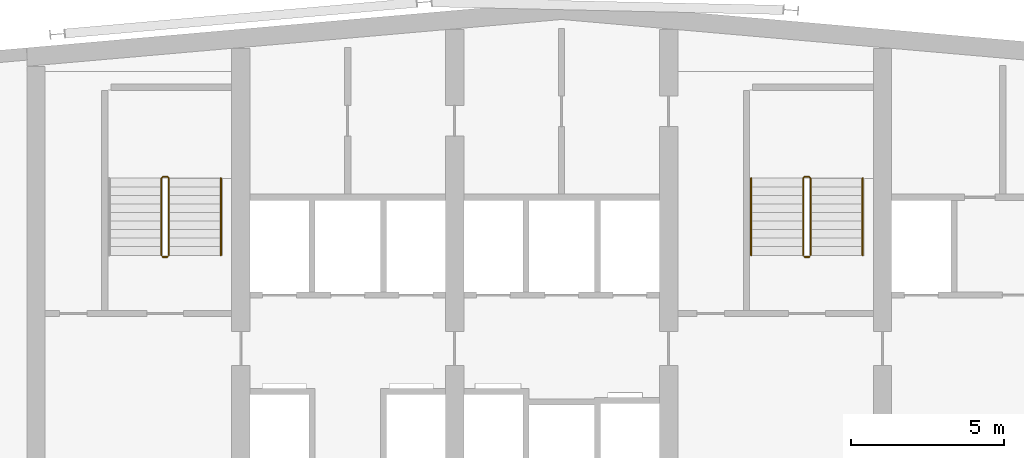
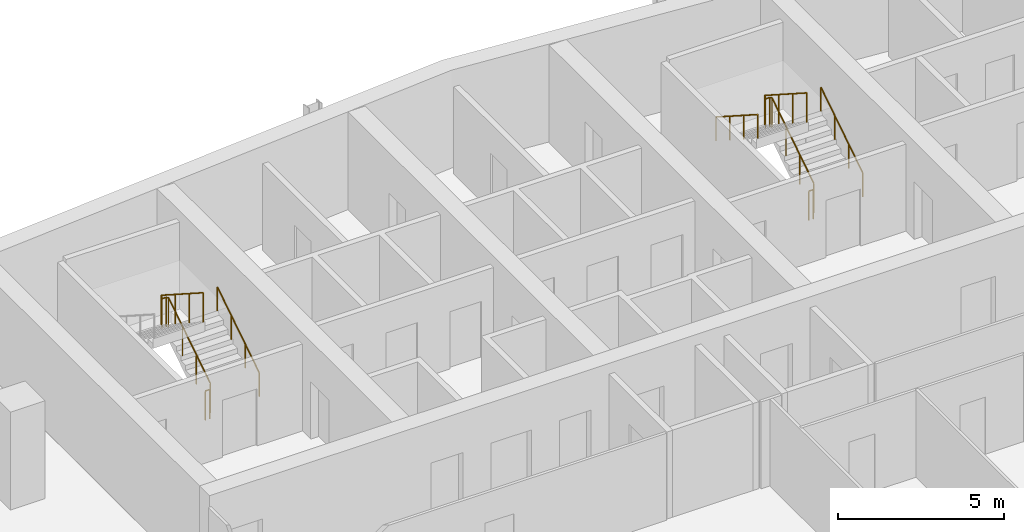
# One storey, part 19 of 19: 7 railings.
"""IFC4 building model written with IfcOpenShell, lengths in metres."""

import ifcopenshell
import ifcopenshell.guid

model = None  # the IFC model being written
_history = None  # IfcOwnerHistory: only IFC2X3 demands one
_inside = {}  # id of a spatial element -> (the spatial element, [elements in it])
_under = {}  # id of a project, library or spatial element -> (it, [spatial elements below it])
_declared = {}  # id of a project -> (the project, [libraries it declares])
_typed = {}  # id of a type object -> (the type object, [elements of that type])
_made_of = {}  # id of a material, layer set ... -> (it, [elements and type objects made of it])


def new_model(schema):
    """Start an empty IFC model of exactly this schema.

    Asked for "IFC4X3", IfcOpenShell would pick the latest addendum, in which some entities
    have other attributes; the version numbers below select the first issue.
    IFC2X3 requires an IfcOwnerHistory on every rooted entity: one is made here for all.
    """
    global model, _history
    if schema == "IFC4X3":
        model = ifcopenshell.file(schema_version=(4, 3, 0, 0))
    else:
        model = ifcopenshell.file(schema=schema)
    _inside.clear()
    _under.clear()
    _declared.clear()
    _typed.clear()
    _made_of.clear()
    _history = None
    if model.schema == "IFC2X3":
        org = make("IfcOrganization", Name="unknown")
        user = make(
            "IfcPersonAndOrganization",
            ThePerson=make("IfcPerson", FamilyName="unknown"),
            TheOrganization=org,
        )
        app = make(
            "IfcApplication",
            ApplicationDeveloper=org,
            Version="unknown",
            ApplicationFullName="unknown",
            ApplicationIdentifier="unknown",
        )
        _history = make(
            "IfcOwnerHistory",
            OwningUser=user,
            OwningApplication=app,
            ChangeAction="ADDED",
            CreationDate=0,
        )
    return model


def make(cls, **values):
    """One entity of the class cls with the attributes given. An attribute that is None is left unset."""
    return model.create_entity(
        cls, **{name: value for name, value in values.items() if value is not None}
    )


def rooted(cls, **values):
    """An entity with a GlobalId (a new one), such as an element, a storey or a relation."""
    return make(cls, GlobalId=ifcopenshell.guid.new(), OwnerHistory=_history, **values)


def si_unit(unit_type, name, prefix=None):
    """IfcSIUnit, for example si_unit("LENGTHUNIT", "METRE", prefix="MILLI")."""
    return make("IfcSIUnit", UnitType=unit_type, Prefix=prefix, Name=name)


def assignment(units):
    """IfcUnitAssignment: the units of a project."""
    return None if units is None else make("IfcUnitAssignment", Units=units)


def point(xyz):
    """IfcCartesianPoint."""
    return None if xyz is None else make("IfcCartesianPoint", Coordinates=xyz)


def direction(xyz):
    """IfcDirection."""
    return None if xyz is None else make("IfcDirection", DirectionRatios=xyz)


def frame(location, z_axis=None, x_axis=None):
    """IfcAxis2Placement3D, a coordinate frame: its origin and axes. An axis left out is left unset."""
    return make(
        "IfcAxis2Placement3D",
        Location=point(location),
        Axis=direction(z_axis),
        RefDirection=direction(x_axis),
    )


def frame_2d(location, x_axis=None):
    """IfcAxis2Placement2D, a coordinate frame in the plane: its origin and x axis."""
    return make(
        "IfcAxis2Placement2D", Location=point(location), RefDirection=direction(x_axis)
    )


def origin():
    """The frame at (0, 0, 0) with its axes left unset."""
    return frame((0.0, 0.0, 0.0))


def origin_2d():
    """The frame at (0, 0) in the plane with its x axis left unset."""
    return frame_2d((0.0, 0.0))


def place(relative_to, where):
    """IfcLocalPlacement: puts the frame where relative to a parent placement (None: the world)."""
    return make(
        "IfcLocalPlacement", PlacementRelTo=relative_to, RelativePlacement=where
    )


def context(
    kind, dimensions, precision=None, world=None, true_north=None, identifier=None
):
    """IfcGeometricRepresentationContext, for example the 3D "Model" context."""
    return make(
        "IfcGeometricRepresentationContext",
        ContextIdentifier=identifier,
        ContextType=kind,
        CoordinateSpaceDimension=dimensions,
        Precision=precision,
        WorldCoordinateSystem=world,
        TrueNorth=true_north,
    )


def subcontext(parent, identifier, kind, view, scale=None):
    """IfcGeometricRepresentationSubContext, for example "Body" below "Model"."""
    return make(
        "IfcGeometricRepresentationSubContext",
        ContextIdentifier=identifier,
        ContextType=kind,
        ParentContext=parent,
        TargetScale=scale,
        TargetView=view,
    )


def project(units=None, contexts=None):
    """IfcProject with its units and contexts."""
    return rooted(
        "IfcProject",
        Name="project",
        RepresentationContexts=contexts,
        UnitsInContext=assignment(units),
    )


def spatial(cls, under=None, at=None, **own):
    """A site, building, storey or space (cls), placed at a placement, below another one or the project."""
    s = rooted(cls, ObjectPlacement=at, **own)
    if under is not None:
        _under.setdefault(under.id(), (under, []))[1].append(s)
    return s


def profile(cls, at=None, kind="AREA", **sizes):
    """A parametric profile (cls). Its sizes go by their IFC names, for example OverallWidth=200.0."""
    return make(cls, ProfileType=kind, Position=at, **sizes)


def circle(**sizes):
    """IfcCircleProfileDef."""
    return profile("IfcCircleProfileDef", **sizes)


def extrude(swept, where, along, depth):
    """IfcExtrudedAreaSolid: the profile swept, set in the frame where, extruded along a direction by depth."""
    return make(
        "IfcExtrudedAreaSolid",
        SweptArea=swept,
        Position=where,
        ExtrudedDirection=direction(along),
        Depth=depth,
    )


def shape(context_of_items, identifier, shape_type, items):
    """IfcShapeRepresentation: the items that make up one representation, for example the "Body"."""
    return make(
        "IfcShapeRepresentation",
        ContextOfItems=context_of_items,
        RepresentationIdentifier=identifier,
        RepresentationType=shape_type,
        Items=items,
    )


def material(Name=None, Category=None):
    """IfcMaterial."""
    return make("IfcMaterial", Name=Name, Category=Category)


def made_of(thing, what):
    """Note that an element or type object is made of a material, layer set ...; save() writes the relation."""
    if what is not None:
        _made_of.setdefault(what.id(), (what, []))[1].append(thing)
    return thing


def type_object(cls, material=None, **own):
    """A type object (cls), such as IfcWallType, which elements share."""
    return made_of(rooted(cls, **own), material)


def element(
    cls,
    number,
    at=None,
    inside=None,
    cuts=None,
    type_object=None,
    material=None,
    context=None,
    identifier="Body",
    shape_type=None,
    held_by="IfcProductDefinitionShape",
    body=None,
    shapes=None,
    **own,
):
    """One element of the class cls, such as IfcWall. Its Tag is "e" and its number.

    at: its placement. inside: the storey or other place that contains it. cuts: it is an
    opening in that element (IfcRelVoidsElement). A single representation is given by context,
    identifier, shape_type and body (its items); several are given by shapes. held_by: the class
    of the entity that holds the representations. save() writes the other relations.
    """
    e = rooted(cls, Tag="e%d" % number, ObjectPlacement=at, **own)
    if body is not None:
        shapes = [shape(context, identifier, shape_type, body)]
    if shapes is not None:
        e.Representation = make(held_by, Representations=shapes)
    if inside is not None:
        _inside.setdefault(inside.id(), (inside, []))[1].append(e)
    if cuts is not None:
        rooted(
            "IfcRelVoidsElement", RelatingBuildingElement=cuts, RelatedOpeningElement=e
        )
    if type_object is not None:
        _typed.setdefault(type_object.id(), (type_object, []))[1].append(e)
    return made_of(e, material)


def aggregate(whole, parts):
    """IfcRelAggregates: a whole, such as a stair, and the parts it consists of."""
    return rooted("IfcRelAggregates", RelatingObject=whole, RelatedObjects=parts)


def save(model, path):
    """Write the relations noted so far, then the file.

    IfcRelAggregates (storeys below a building ...), IfcRelContainedInSpatialStructure (elements
    in a storey), IfcRelDefinesByType, IfcRelAssociatesMaterial and IfcRelDeclares: one each for
    every whole, place, type object, material and project.
    """
    for whole, parts in _under.values():
        aggregate(whole, parts)
    for where, things in _inside.values():
        rooted(
            "IfcRelContainedInSpatialStructure",
            RelatedElements=things,
            RelatingStructure=where,
        )
    for kind, things in _typed.values():
        rooted("IfcRelDefinesByType", RelatedObjects=things, RelatingType=kind)
    for what, things in _made_of.values():
        rooted("IfcRelAssociatesMaterial", RelatedObjects=things, RelatingMaterial=what)
    for by, libraries in _declared.values():
        rooted("IfcRelDeclares", RelatingContext=by, RelatedDefinitions=libraries)
    model.write(path)


model = new_model("IFC4")

# Units and contexts
model_context = context("Model", 3, precision=1e-05, world=origin(), true_north=direction((0.0, 1.0)))
body_context = subcontext(model_context, "Body", "Model", "MODEL_VIEW")
ifc_project = project(units=[si_unit("LENGTHUNIT", "METRE"), si_unit("AREAUNIT", "SQUARE_METRE"), si_unit("VOLUMEUNIT", "CUBIC_METRE"), si_unit("PLANEANGLEUNIT", "RADIAN"), si_unit("MASSUNIT", "GRAM", prefix="KILO")], contexts=[model_context])

# Site, building, storey
site_placement = place(None, origin())
site = spatial("IfcSite", under=ifc_project, at=site_placement, CompositionType="ELEMENT")
building_placement = place(site_placement, origin())
building = spatial("IfcBuilding", under=site, at=building_placement, Name="Wharfspan Tower", CompositionType="ELEMENT")
storey_placement = place(building_placement, frame((0.0, 0.0, 257.5)))
storey = spatial("IfcBuildingStorey", under=building, at=storey_placement, Name="L65", CompositionType="ELEMENT", Elevation=257.5)

# Railings
ifc_material = material(Name="Steel S355J2", Category="steel")
railing_type_1 = type_object("IfcRailingType", Name="Stair guard 1100", PredefinedType="GUARDRAIL", material=ifc_material)
railing_1_placement = place(storey_placement, frame((27.649902, 42.0, 0.179932)))
element("IfcRailing", 1, at=railing_1_placement, inside=storey, type_object=railing_type_1, Name="L65 ST1 stair guard 1", PredefinedType="GUARDRAIL", context=body_context, shape_type="SweptSolid", body=[
    extrude(circle(Radius=0.023926, at=origin_2d()), frame((0.0, 0.0, 1.076172), z_axis=(0.0, 0.841163, 0.540782), x_axis=(-1.0, 0.0, 0.0)), (0.0, 0.0, 1.0), 2.99585),
    extrude(circle(Radius=0.023926, at=origin_2d()), frame((0.0, 2.52002, 2.696289), z_axis=(-0.705376, 0.708834, 0.0), x_axis=(-0.708834, -0.705376, 0.0)), (0.0, 0.0, 1.0), 0.070557),
    extrude(circle(Radius=0.023926, at=origin_2d()), frame((-0.049805, 2.570068, 2.696289), z_axis=(-1.0, 0.0, 0.0), x_axis=(0.0, -1.0, 0.0)), (0.0, 0.0, 1.0), 0.150146),
    extrude(circle(Radius=0.023926, at=origin_2d()), frame((-0.199951, 2.570068, 2.696289), z_axis=(-0.258848, -0.258848, 0.930589), x_axis=(0.707107, -0.707107, 0.0)), (0.0, 0.0, 1.0), 0.193359),
    extrude(circle(Radius=0.023926, at=origin_2d()), frame((-0.25, 2.52002, 2.875977), z_axis=(0.0, -0.841163, 0.540782), x_axis=(1.0, 0.0, 0.0)), (0.0, 0.0, 1.0), 2.99585),
    extrude(circle(Radius=0.020996, at=origin_2d()), origin(), (0.0, 0.0, 1.0), 1.052002),
    extrude(circle(Radius=0.020996, at=origin_2d()), frame((0.0, 0.840088, 0.540039)), (0.0, 0.0, 1.0), 1.052002),
    extrude(circle(Radius=0.020996, at=origin_2d()), frame((0.0, 1.679932, 1.080078)), (0.0, 0.0, 1.0), 1.052002),
    extrude(circle(Radius=0.020996, at=origin_2d()), frame((0.0, 2.52002, 1.620117)), (0.0, 0.0, 1.0), 1.052002),
    extrude(circle(Radius=0.020996, at=origin_2d()), frame((-0.049805, 2.570068, 1.620117)), (0.0, 0.0, 1.0), 1.052002),
    extrude(circle(Radius=0.020996, at=origin_2d()), frame((-0.199951, 2.570068, 1.620117)), (0.0, 0.0, 1.0), 1.052002),
    extrude(circle(Radius=0.020996, at=origin_2d()), frame((-0.25, 2.52002, 1.800049)), (0.0, 0.0, 1.0), 1.052002),
    extrude(circle(Radius=0.020996, at=origin_2d()), frame((-0.25, 1.679932, 2.340088)), (0.0, 0.0, 1.0), 1.052002),
    extrude(circle(Radius=0.020996, at=origin_2d()), frame((-0.25, 0.840088, 2.880127)), (0.0, 0.0, 1.0), 1.052002),
    extrude(circle(Radius=0.020996, at=origin_2d()), frame((-0.25, 0.0, 3.420166)), (0.0, 0.0, 1.0), 1.052002),
])
railing_2_placement = place(storey_placement, frame((27.600098, 41.949951, 0.0)))
element("IfcRailing", 2, at=railing_2_placement, inside=storey, type_object=railing_type_1, Name="L65 ST1 stair guard 2", PredefinedType="GUARDRAIL", context=body_context, shape_type="SweptSolid", body=[
    extrude(circle(Radius=0.023926, at=origin_2d()), frame((0.0, 0.0, 1.076172), z_axis=(-1.0, 0.0, 0.0), x_axis=(0.0, -1.0, 0.0)), (0.0, 0.0, 1.0), 0.150146),
    extrude(circle(Radius=0.020996, at=origin_2d()), origin(), (0.0, 0.0, 1.0), 1.052002),
    extrude(circle(Radius=0.020996, at=origin_2d()), frame((-0.150146, 0.0, 0.0)), (0.0, 0.0, 1.0), 1.052002),
])
railing_3_placement = place(storey_placement, frame((48.649902, 42.0, 0.179932)))
element("IfcRailing", 3, at=railing_3_placement, inside=storey, type_object=railing_type_1, Name="L65 ST2 stair guard 1", PredefinedType="GUARDRAIL", context=body_context, shape_type="SweptSolid", body=[
    extrude(circle(Radius=0.023926, at=origin_2d()), frame((0.0, 0.0, 1.076172), z_axis=(0.0, 0.841163, 0.540782), x_axis=(-1.0, 0.0, 0.0)), (0.0, 0.0, 1.0), 2.99585),
    extrude(circle(Radius=0.023926, at=origin_2d()), frame((0.0, 2.52002, 2.696289), z_axis=(-0.705376, 0.708834, 0.0), x_axis=(-0.708834, -0.705376, 0.0)), (0.0, 0.0, 1.0), 0.070557),
    extrude(circle(Radius=0.023926, at=origin_2d()), frame((-0.049805, 2.570068, 2.696289), z_axis=(-1.0, 0.0, 0.0), x_axis=(0.0, -1.0, 0.0)), (0.0, 0.0, 1.0), 0.150146),
    extrude(circle(Radius=0.023926, at=origin_2d()), frame((-0.199951, 2.570068, 2.696289), z_axis=(-0.258848, -0.258848, 0.930589), x_axis=(0.707107, -0.707107, 0.0)), (0.0, 0.0, 1.0), 0.193359),
    extrude(circle(Radius=0.023926, at=origin_2d()), frame((-0.25, 2.52002, 2.875977), z_axis=(0.0, -0.841163, 0.540782), x_axis=(1.0, 0.0, 0.0)), (0.0, 0.0, 1.0), 2.99585),
    extrude(circle(Radius=0.020996, at=origin_2d()), origin(), (0.0, 0.0, 1.0), 1.052002),
    extrude(circle(Radius=0.020996, at=origin_2d()), frame((0.0, 0.840088, 0.540039)), (0.0, 0.0, 1.0), 1.052002),
    extrude(circle(Radius=0.020996, at=origin_2d()), frame((0.0, 1.679932, 1.080078)), (0.0, 0.0, 1.0), 1.052002),
    extrude(circle(Radius=0.020996, at=origin_2d()), frame((0.0, 2.52002, 1.620117)), (0.0, 0.0, 1.0), 1.052002),
    extrude(circle(Radius=0.020996, at=origin_2d()), frame((-0.049805, 2.570068, 1.620117)), (0.0, 0.0, 1.0), 1.052002),
    extrude(circle(Radius=0.020996, at=origin_2d()), frame((-0.199951, 2.570068, 1.620117)), (0.0, 0.0, 1.0), 1.052002),
    extrude(circle(Radius=0.020996, at=origin_2d()), frame((-0.25, 2.52002, 1.800049)), (0.0, 0.0, 1.0), 1.052002),
    extrude(circle(Radius=0.020996, at=origin_2d()), frame((-0.25, 1.679932, 2.340088)), (0.0, 0.0, 1.0), 1.052002),
    extrude(circle(Radius=0.020996, at=origin_2d()), frame((-0.25, 0.840088, 2.880127)), (0.0, 0.0, 1.0), 1.052002),
    extrude(circle(Radius=0.020996, at=origin_2d()), frame((-0.25, 0.0, 3.420166)), (0.0, 0.0, 1.0), 1.052002),
])
railing_4_placement = place(storey_placement, frame((48.600098, 41.949951, 0.0)))
element("IfcRailing", 4, at=railing_4_placement, inside=storey, type_object=railing_type_1, Name="L65 ST2 stair guard 2", PredefinedType="GUARDRAIL", context=body_context, shape_type="SweptSolid", body=[
    extrude(circle(Radius=0.023926, at=origin_2d()), frame((0.0, 0.0, 1.076172), z_axis=(-1.0, 0.0, 0.0), x_axis=(0.0, -1.0, 0.0)), (0.0, 0.0, 1.0), 0.150146),
    extrude(circle(Radius=0.020996, at=origin_2d()), origin(), (0.0, 0.0, 1.0), 1.052002),
    extrude(circle(Radius=0.020996, at=origin_2d()), frame((-0.150146, 0.0, 0.0)), (0.0, 0.0, 1.0), 1.052002),
])
railing_type_2 = type_object("IfcRailingType", Name="Stair handrail 900", PredefinedType="HANDRAIL", material=ifc_material)
for number, where, name in (
    (5, (29.350098, 42.0, 0.179932), "L65 ST1 stair handrail 1"),
    (6, (50.350098, 42.0, 0.179932), "L65 ST2 stair handrail 1"),
):
    element("IfcRailing", number, at=place(storey_placement, frame(where)), inside=storey, type_object=railing_type_2, Name=name, PredefinedType="HANDRAIL", context=body_context, shape_type="SweptSolid", body=[
        extrude(circle(Radius=0.023926, at=origin_2d()), frame((0.0, 0.0, 0.875977), z_axis=(0.0, 0.841163, 0.540782), x_axis=(-1.0, 0.0, 0.0)), (0.0, 0.0, 1.0), 2.99585),
        extrude(circle(Radius=0.020996, at=origin_2d()), origin(), (0.0, 0.0, 1.0), 0.851807),
        extrude(circle(Radius=0.020996, at=origin_2d()), frame((0.0, 0.840088, 0.540039)), (0.0, 0.0, 1.0), 0.851807),
        extrude(circle(Radius=0.020996, at=origin_2d()), frame((0.0, 1.679932, 1.080078)), (0.0, 0.0, 1.0), 0.851807),
        extrude(circle(Radius=0.020996, at=origin_2d()), frame((0.0, 2.52002, 1.620117)), (0.0, 0.0, 1.0), 0.851807),
    ])
railing_5_placement = place(storey_placement, frame((46.699951, 44.52002, 1.97998)))
element("IfcRailing", 7, at=railing_5_placement, inside=storey, type_object=railing_type_2, Name="L65 ST2 stair handrail 2", PredefinedType="HANDRAIL", context=body_context, shape_type="SweptSolid", body=[
    extrude(circle(Radius=0.023926, at=origin_2d()), frame((0.0, 0.0, 0.875977), z_axis=(0.0, -0.841163, 0.540782), x_axis=(1.0, 0.0, 0.0)), (0.0, 0.0, 1.0), 2.99585),
    extrude(circle(Radius=0.020996, at=origin_2d()), origin(), (0.0, 0.0, 1.0), 0.851807),
    extrude(circle(Radius=0.020996, at=origin_2d()), frame((0.0, -0.840088, 0.540039)), (0.0, 0.0, 1.0), 0.851807),
    extrude(circle(Radius=0.020996, at=origin_2d()), frame((0.0, -1.679932, 1.080078)), (0.0, 0.0, 1.0), 0.851807),
    extrude(circle(Radius=0.020996, at=origin_2d()), frame((0.0, -2.52002, 1.620117)), (0.0, 0.0, 1.0), 0.851807),
])

save(model, "model.ifc")
